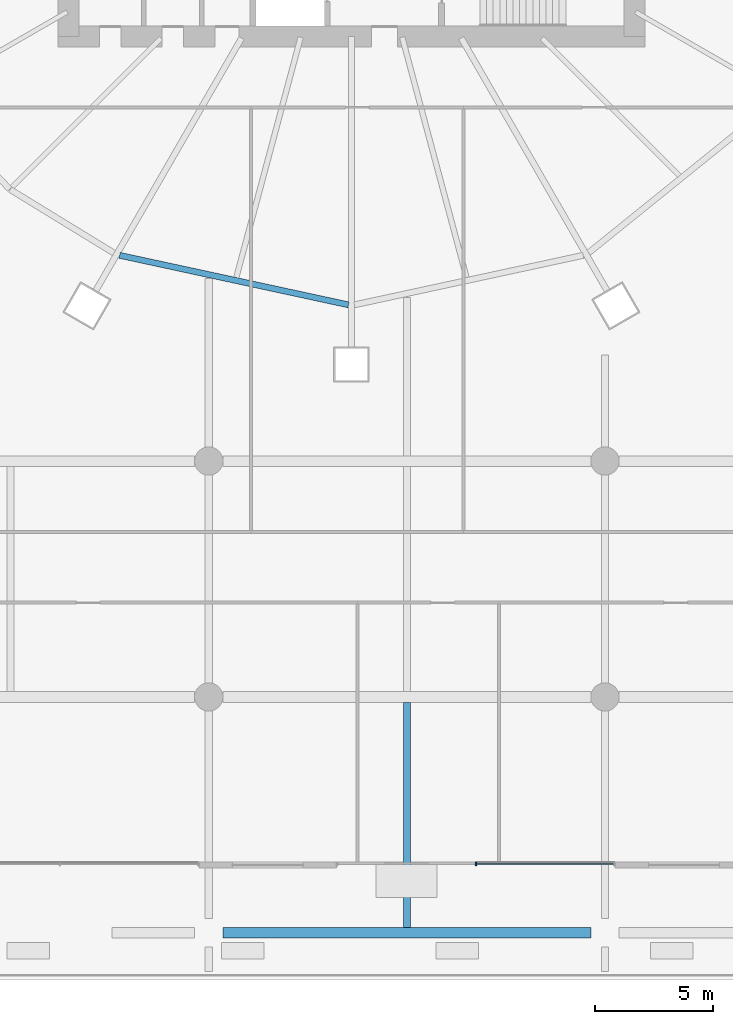
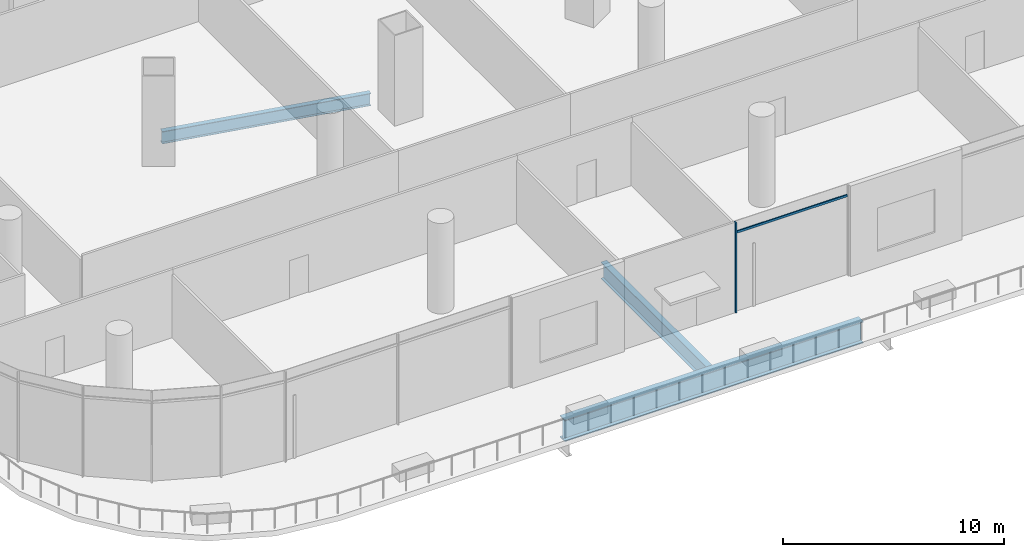
# One storey, part 5 of 51: 3 beams, 2 members, 1 element without a shape of its own.
"""IFC4 building model written with IfcOpenShell, lengths in metres."""

from ifc_helpers import new_model, si_unit, direction, frame, origin, origin_2d, place, context, subcontext, project, spatial, rectangle, i_section, extrude, material, material_profile, profile_set, type_object, element, aggregate, save


model = new_model("IFC4")

# Units and contexts
model_context = context("Model", 3, precision=1e-05, world=origin(), true_north=direction((0.0, 1.0)))
body_context = subcontext(model_context, "Body", "Model", "MODEL_VIEW")
ifc_project = project(units=[si_unit("LENGTHUNIT", "METRE"), si_unit("AREAUNIT", "SQUARE_METRE"), si_unit("VOLUMEUNIT", "CUBIC_METRE"), si_unit("PLANEANGLEUNIT", "RADIAN"), si_unit("MASSUNIT", "GRAM", prefix="KILO")], contexts=[model_context])

# Site, building, storey
site_placement = place(None, origin())
site = spatial("IfcSite", under=ifc_project, at=site_placement, CompositionType="ELEMENT")
building_placement = place(site_placement, origin())
building = spatial("IfcBuilding", under=site, at=building_placement, Name="Rimbun Link Towers", CompositionType="ELEMENT")
storey_placement = place(building_placement, frame((0.0, 0.0, 7.0)))
storey = spatial("IfcBuildingStorey", under=building, at=storey_placement, Name="L01", CompositionType="ELEMENT", Elevation=7.0)

# Curtain wall, members
ifc_material_1 = material(Name="Aluminium 6063-T6 and low-iron glass", Category="aluminium")
curtain_wall_type = type_object("IfcCurtainWallType", Name="CW3 podium shopfront", PredefinedType="NOTDEFINED", material=ifc_material_1)
curtain_wall_placement = place(storey_placement, origin())
curtain_wall = element("IfcCurtainWall", 1, at=curtain_wall_placement, inside=storey, type_object=curtain_wall_type, Name="CW3 L01 PD", PredefinedType="NOTDEFINED")
ifc_material_2 = material(Name="Aluminium 6063-T6", Category="aluminium")
ifc_material_profile_1 = material_profile(ifc_material_2, rectangle(XDim=0.14990234375, YDim=0.06005859375, at=origin_2d()), Name="MULLION 60X150")
ifc_profile_set_1 = profile_set([ifc_material_profile_1], Name="Aluminium 6063-T6")
member_type_1 = type_object("IfcMemberType", Name="CW3 mullion 60X150", PredefinedType="MULLION", material=ifc_profile_set_1)
member_1_placement = place(storey_placement, frame((-26.470703125, -43.074951171875, 0.0), z_axis=(0.0, 0.0, 1.0), x_axis=(0.0, -1.0, 0.0)))
member_1 = element("IfcMember", 2, at=member_1_placement, type_object=member_type_1, Name="CW3 mullion", PredefinedType="MULLION", context=body_context, shape_type="SweptSolid", body=[
    extrude(rectangle(XDim=0.14990234375, YDim=0.06005859375, at=origin_2d()), origin(), (0.0, 0.0, 1.0), 5.0),
])
ifc_material_3 = material(Name="Aluminium 6063-T6", Category="aluminium")
ifc_material_profile_2 = material_profile(ifc_material_3, rectangle(XDim=0.06005859375, YDim=0.1201171875, at=origin_2d()), Name="TRANSOM 60X120")
ifc_profile_set_2 = profile_set([ifc_material_profile_2], Name="Aluminium 6063-T6")
member_type_2 = type_object("IfcMemberType", Name="CW3 transom 60X120", PredefinedType="USERDEFINED", material=ifc_profile_set_2)
member_2_placement = place(storey_placement, frame((-20.6181640625, -43.053955078125, 4.39990234375), z_axis=(-1.0, 0.0, 0.0), x_axis=(0.0, -1.0, 0.0)))
member_2 = element("IfcMember", 3, at=member_2_placement, type_object=member_type_2, Name="CW3 transom", ObjectType="TRANSOM", PredefinedType="USERDEFINED", context=body_context, shape_type="SweptSolid", body=[
    extrude(rectangle(XDim=0.06005859375, YDim=0.1201171875, at=origin_2d()), origin(), (0.0, 0.0, 1.0), 5.822509765625),
])
aggregate(curtain_wall, [member_1, member_2])

# Beams
ifc_material_4 = material(Name="Steel S355J2", Category="steel")
ifc_material_profile_3 = material_profile(ifc_material_4, i_section(OverallWidth=0.449951171875, OverallDepth=1.199951171875, WebThickness=0.030029296875, FlangeThickness=0.044921875, at=origin_2d()), Name="PG 1200x450x30/45")
ifc_profile_set_3 = profile_set([ifc_material_profile_3], Name="Steel S355J2")
beam_type_1 = type_object("IfcBeamType", Name="PG 1200x450x30/45", PredefinedType="BEAM", material=ifc_profile_set_3)
beam_1_placement = place(storey_placement, frame((-37.199951171875, -46.0, -0.89990234375), z_axis=(1.0, 0.0, 0.0), x_axis=(0.0, 1.0, 0.0)))
element("IfcBeam", 4, at=beam_1_placement, inside=storey, type_object=beam_type_1, Name="Grid beam L01 -46.0", PredefinedType="BEAM", context=body_context, shape_type="SweptSolid", body=[
    extrude(i_section(OverallWidth=0.449951171875, OverallDepth=1.199951171875, WebThickness=0.030029296875, FlangeThickness=0.044921875, at=origin_2d()), origin(), (0.0, 0.0, 1.0), 15.599853515625),
])
ifc_material_5 = material(Name="Steel S355J2", Category="steel")
ifc_material_profile_4 = material_profile(ifc_material_5, i_section(OverallWidth=0.253662109375, OverallDepth=0.68359375, WebThickness=0.012451171875, FlangeThickness=0.01904296875, at=origin_2d()), Name="UB 686x254x140")
ifc_profile_set_4 = profile_set([ifc_material_profile_4], Name="Steel S355J2")
beam_type_2 = type_object("IfcBeamType", Name="UB 686x254x140", PredefinedType="BEAM", material=ifc_profile_set_4)
beam_2_placement = place(storey_placement, frame((-41.577392578125, -17.27685546875, -0.641845703125), z_axis=(0.977390124833, -0.211443949734, 0.0), x_axis=(0.211443949734, 0.977390124833, 0.0)))
element("IfcBeam", 5, at=beam_2_placement, inside=storey, type_object=beam_type_2, Name="Edge beam T1 L01 16-18", PredefinedType="BEAM", context=body_context, shape_type="SweptSolid", body=[
    extrude(i_section(OverallWidth=0.253662109375, OverallDepth=0.68359375, WebThickness=0.012451171875, FlangeThickness=0.01904296875, at=origin_2d()), origin(), (0.0, 0.0, 1.0), 9.924072265625),
])
ifc_material_6 = material(Name="Steel S355J2", Category="steel")
ifc_material_profile_5 = material_profile(ifc_material_6, i_section(OverallWidth=0.305419921875, OverallDepth=0.91845703125, WebThickness=0.017333984375, FlangeThickness=0.02783203125, at=origin_2d()), Name="UB 914x305x253")
ifc_profile_set_5 = profile_set([ifc_material_profile_5], Name="Steel S355J2")
beam_type_3 = type_object("IfcBeamType", Name="UB 914x305x253", PredefinedType="BEAM", material=ifc_profile_set_5)
beam_3_placement = place(storey_placement, frame((-29.39990234375, -45.77490234375, -0.75927734375), z_axis=(0.0, 1.0, 0.0), x_axis=(-1.0, 0.0, 0.0)))
element("IfcBeam", 6, at=beam_3_placement, inside=storey, type_object=beam_type_3, Name="Grid beam L01 -29.4", PredefinedType="BEAM", context=body_context, shape_type="SweptSolid", body=[
    extrude(i_section(OverallWidth=0.305419921875, OverallDepth=0.91845703125, WebThickness=0.017333984375, FlangeThickness=0.02783203125, at=origin_2d()), origin(), (0.0, 0.0, 1.0), 9.5498046875),
])

save(model, "model.ifc")
